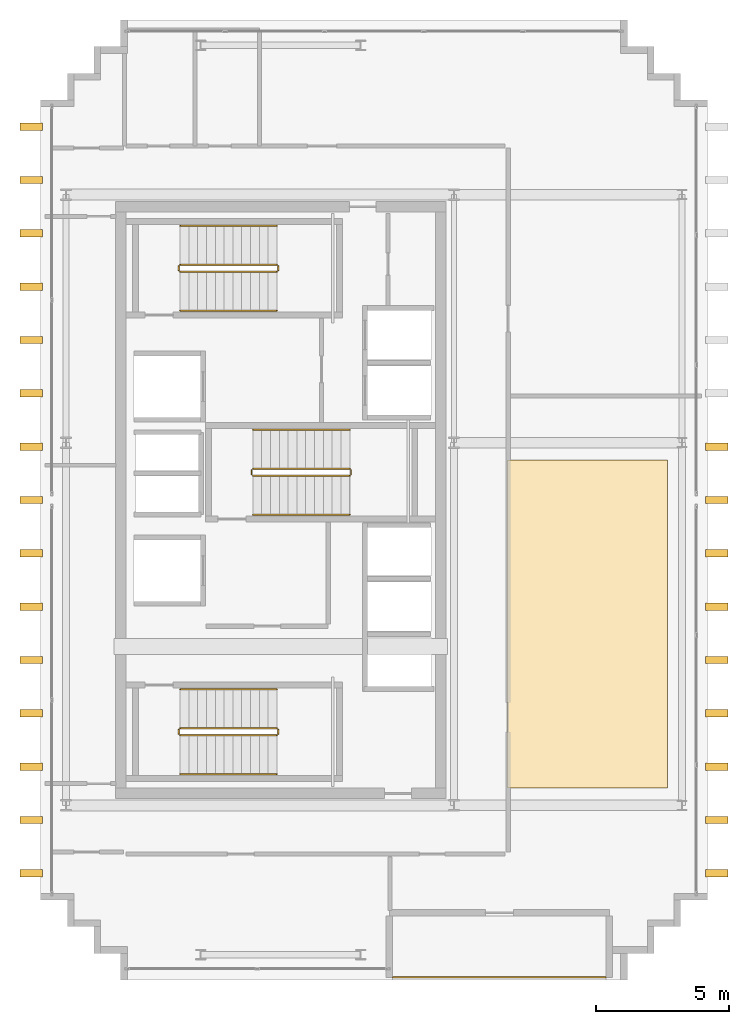
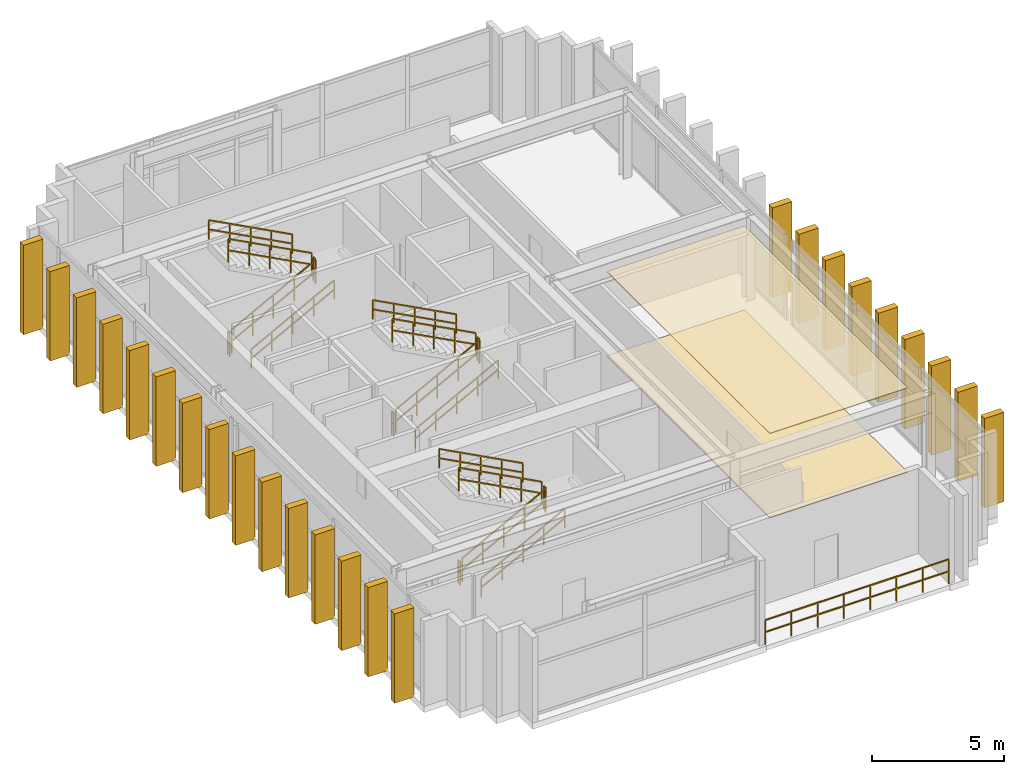
# One storey, part 13 of 14: 24 shading devices, 19 railings, 2 coverings.
"""IFC4 building model written with IfcOpenShell, lengths in metres."""

from ifc_helpers import new_model, si_unit, direction, frame, origin, origin_2d, place, context, subcontext, project, spatial, polyline, rectangle, outline, extrude, source, transform, mapped, material, layer, layer_set, type_object, element, save


model = new_model("IFC4")

# Units and contexts
model_context = context("Model", 3, precision=1e-05, world=origin(), true_north=direction((0.0, 1.0)))
body_context = subcontext(model_context, "Body", "Model", "MODEL_VIEW")
ifc_project = project(units=[si_unit("LENGTHUNIT", "METRE"), si_unit("AREAUNIT", "SQUARE_METRE"), si_unit("VOLUMEUNIT", "CUBIC_METRE"), si_unit("PLANEANGLEUNIT", "RADIAN"), si_unit("MASSUNIT", "GRAM", prefix="KILO")], contexts=[model_context])

# Site, building, storey
site_placement = place(None, origin())
site = spatial("IfcSite", under=ifc_project, at=site_placement, CompositionType="ELEMENT")
building_placement = place(site_placement, origin())
building = spatial("IfcBuilding", under=site, at=building_placement, Name="Ocotamira Hotel", CompositionType="ELEMENT")
storey_placement = place(building_placement, frame((0.0, 0.0, 301.199951171875)))
storey = spatial("IfcBuildingStorey", under=building, at=storey_placement, Name="L77", CompositionType="ELEMENT", Elevation=301.199951171875)

# Coverings
ifc_material_1 = material(Name="Baffled acoustic wood-slat and gypsum ceiling", Category="wood")
ifc_layer_1 = layer(ifc_material_1, 0.0400390625)
ifc_layer_set_1 = layer_set([ifc_layer_1], Name="Baffled acoustic wood-slat and gypsum ceiling")
covering_type_1 = type_object("IfcCoveringType", Name="COV-CEIL-40", PredefinedType="CEILING", material=ifc_layer_set_1)
covering_1_placement = place(storey_placement, frame((0.0, 0.0, 3.880126953125)))
element("IfcCovering", 1, at=covering_1_placement, inside=storey, type_object=covering_type_1, Name="L77 Acoustic Ceiling", PredefinedType="CEILING", context=body_context, shape_type="SweptSolid", body=[
    extrude(outline(polyline([(25.5, 15.199951171875), (31.5, 15.199951171875), (31.5, 27.5), (25.5, 27.5), (25.5, 15.199951171875)])), origin(), (0.0, 0.0, 1.0), 0.0400390625),
])
ifc_material_2 = material(Name="Thick-bed honed Mojave limestone flooring", Category="masonry")
ifc_layer_2 = layer(ifc_material_2, 0.044921875)
ifc_layer_set_2 = layer_set([ifc_layer_2], Name="Thick-bed honed Mojave limestone flooring")
covering_type_2 = type_object("IfcCoveringType", Name="COV-FLOR-45", PredefinedType="FLOORING", material=ifc_layer_set_2)
covering_2_placement = place(storey_placement, origin())
element("IfcCovering", 2, at=covering_2_placement, inside=storey, type_object=covering_type_2, Name="L77 Honed Stone Floor Finish", PredefinedType="FLOORING", context=body_context, shape_type="SweptSolid", body=[
    extrude(outline(polyline([(25.5, 15.199951171875), (31.5, 15.199951171875), (31.5, 27.5), (25.5, 27.5), (25.5, 15.199951171875)])), origin(), (0.0, 0.0, 1.0), 0.045166015625),
])

# Railings
ifc_material_3 = material(Name="Laminated glass and pale-metal balustrade", Category="glass")
railing_type_1 = type_object("IfcRailingType", Name="RL-BAL-1150", PredefinedType="BALUSTRADE", material=ifc_material_3)
railing_1_placement = place(storey_placement, frame((21.199951171875, 8.10009765625, 0.0)))
element("IfcRailing", 3, at=railing_1_placement, inside=storey, type_object=railing_type_1, Name="L77 Sky Terrace Balustrade 1", PredefinedType="BALUSTRADE", context=body_context, shape_type="SweptSolid", body=[
    extrude(rectangle(XDim=0.048095703125, YDim=0.048095703125, at=origin_2d()), frame((0.0, 0.0, 1.1259765625), z_axis=(1.0, 0.0, 0.0), x_axis=(0.0, 1.0, 0.0)), (0.0, 0.0, 1.0), 8.0),
    extrude(rectangle(XDim=0.048095703125, YDim=0.048095703125, at=origin_2d()), frame((0.0, 0.0, 0.574951171875), z_axis=(1.0, 0.0, 0.0), x_axis=(0.0, 1.0, 0.0)), (0.0, 0.0, 1.0), 8.0),
    extrude(rectangle(XDim=0.0419921875, YDim=0.0419921875, at=origin_2d()), origin(), (0.0, 0.0, 1.0), 1.101806640625),
    extrude(rectangle(XDim=0.0419921875, YDim=0.0419921875, at=origin_2d()), frame((1.142822265625, 0.0, 0.0)), (0.0, 0.0, 1.0), 1.101806640625),
    extrude(rectangle(XDim=0.0419921875, YDim=0.0419921875, at=origin_2d()), frame((2.28564453125, 0.0, 0.0)), (0.0, 0.0, 1.0), 1.101806640625),
    extrude(rectangle(XDim=0.0419921875, YDim=0.0419921875, at=origin_2d()), frame((3.428466796875, 0.0, 0.0)), (0.0, 0.0, 1.0), 1.101806640625),
    extrude(rectangle(XDim=0.0419921875, YDim=0.0419921875, at=origin_2d()), frame((4.571533203125, 0.0, 0.0)), (0.0, 0.0, 1.0), 1.101806640625),
    extrude(rectangle(XDim=0.0419921875, YDim=0.0419921875, at=origin_2d()), frame((5.71435546875, 0.0, 0.0)), (0.0, 0.0, 1.0), 1.101806640625),
    extrude(rectangle(XDim=0.0419921875, YDim=0.0419921875, at=origin_2d()), frame((6.857177734375, 0.0, 0.0)), (0.0, 0.0, 1.0), 1.101806640625),
    extrude(rectangle(XDim=0.0419921875, YDim=0.0419921875, at=origin_2d()), frame((8.0, 0.0, 0.0)), (0.0, 0.0, 1.0), 1.101806640625),
])
ifc_material_4 = material(Name="Brushed stainless steel handrail", Category="steel")
railing_type_2 = type_object("IfcRailingType", Name="RL-HAND-900", PredefinedType="HANDRAIL", material=ifc_material_4)
railing_2_placement = place(storey_placement, frame((13.22998046875, 15.719970703125, 0.35009765625)))
element("IfcRailing", 4, at=railing_2_placement, inside=storey, type_object=railing_type_2, Name="L77 ST-1 stair handrail 1", PredefinedType="HANDRAIL", context=body_context, shape_type="SweptSolid", body=[
    extrude(rectangle(XDim=0.048095703125, YDim=0.048095703125, at=origin_2d()), frame((0.0, 0.0, 0.8759765625), z_axis=(0.883463965148, 0.0, 0.468499116632), x_axis=(0.0, 1.0, 0.0)), (0.0, 0.0, 1.0), 4.10888671875),
    extrude(rectangle(XDim=0.048095703125, YDim=0.048095703125, at=origin_2d()), frame((0.0, 0.0, 0.449951171875), z_axis=(0.883463965148, 0.0, 0.468499116632), x_axis=(0.0, 1.0, 0.0)), (0.0, 0.0, 1.0), 4.10888671875),
    extrude(rectangle(XDim=0.0419921875, YDim=0.0419921875, at=origin_2d()), origin(), (0.0, 0.0, 1.0), 0.851806640625),
    extrude(rectangle(XDim=0.0419921875, YDim=0.0419921875, at=origin_2d()), frame((0.907470703125, 0.0, 0.481201171875)), (0.0, 0.0, 1.0), 0.851806640625),
    extrude(rectangle(XDim=0.0419921875, YDim=0.0419921875, at=origin_2d()), frame((1.81494140625, 0.0, 0.96240234375)), (0.0, 0.0, 1.0), 0.851806640625),
    extrude(rectangle(XDim=0.0419921875, YDim=0.0419921875, at=origin_2d()), frame((2.72265625, 0.0, 1.44384765625)), (0.0, 0.0, 1.0), 0.851806640625),
    extrude(rectangle(XDim=0.0419921875, YDim=0.0419921875, at=origin_2d()), frame((3.630126953125, 0.0, 1.925048828125)), (0.0, 0.0, 1.0), 0.851806640625),
])
railing_3_placement = place(storey_placement, frame((16.860107421875, 18.89990234375, 2.449951171875)))
element("IfcRailing", 5, at=railing_3_placement, inside=storey, type_object=railing_type_2, Name="L77 ST-1 stair handrail 2", PredefinedType="HANDRAIL", context=body_context, shape_type="SweptSolid", body=[
    extrude(rectangle(XDim=0.048095703125, YDim=0.048095703125, at=origin_2d()), frame((0.0, 0.0, 0.8759765625), z_axis=(-0.883463965148, 0.0, 0.468499116632), x_axis=(0.0, -1.0, 0.0)), (0.0, 0.0, 1.0), 4.10888671875),
    extrude(rectangle(XDim=0.048095703125, YDim=0.048095703125, at=origin_2d()), frame((0.0, 0.0, 0.449951171875), z_axis=(-0.883463965148, 0.0, 0.468499116632), x_axis=(0.0, -1.0, 0.0)), (0.0, 0.0, 1.0), 4.10888671875),
    extrude(rectangle(XDim=0.0419921875, YDim=0.0419921875, at=origin_2d()), origin(), (0.0, 0.0, 1.0), 0.851806640625),
    extrude(rectangle(XDim=0.0419921875, YDim=0.0419921875, at=origin_2d()), frame((-0.907470703125, 0.0, 0.481201171875)), (0.0, 0.0, 1.0), 0.851806640625),
    extrude(rectangle(XDim=0.0419921875, YDim=0.0419921875, at=origin_2d()), frame((-1.81494140625, 0.0, 0.96240234375)), (0.0, 0.0, 1.0), 0.851806640625),
    extrude(rectangle(XDim=0.0419921875, YDim=0.0419921875, at=origin_2d()), frame((-2.72265625, 0.0, 1.44384765625)), (0.0, 0.0, 1.0), 0.851806640625),
    extrude(rectangle(XDim=0.0419921875, YDim=0.0419921875, at=origin_2d()), frame((-3.630126953125, 0.0, 1.925048828125)), (0.0, 0.0, 1.0), 0.851806640625),
])
railing_4_placement = place(storey_placement, frame((13.22998046875, 33.10009765625, 0.35009765625)))
element("IfcRailing", 6, at=railing_4_placement, inside=storey, type_object=railing_type_2, Name="L77 ST-2 stair handrail 1", PredefinedType="HANDRAIL", context=body_context, shape_type="SweptSolid", body=[
    extrude(rectangle(XDim=0.048095703125, YDim=0.048095703125, at=origin_2d()), frame((0.0, 0.0, 0.8759765625), z_axis=(0.883463965148, 0.0, 0.468499116632), x_axis=(0.0, 1.0, 0.0)), (0.0, 0.0, 1.0), 4.10888671875),
    extrude(rectangle(XDim=0.048095703125, YDim=0.048095703125, at=origin_2d()), frame((0.0, 0.0, 0.449951171875), z_axis=(0.883463965148, 0.0, 0.468499116632), x_axis=(0.0, 1.0, 0.0)), (0.0, 0.0, 1.0), 4.10888671875),
    extrude(rectangle(XDim=0.0419921875, YDim=0.0419921875, at=origin_2d()), origin(), (0.0, 0.0, 1.0), 0.851806640625),
    extrude(rectangle(XDim=0.0419921875, YDim=0.0419921875, at=origin_2d()), frame((0.907470703125, 0.0, 0.481201171875)), (0.0, 0.0, 1.0), 0.851806640625),
    extrude(rectangle(XDim=0.0419921875, YDim=0.0419921875, at=origin_2d()), frame((1.81494140625, 0.0, 0.96240234375)), (0.0, 0.0, 1.0), 0.851806640625),
    extrude(rectangle(XDim=0.0419921875, YDim=0.0419921875, at=origin_2d()), frame((2.72265625, 0.0, 1.44384765625)), (0.0, 0.0, 1.0), 0.851806640625),
    extrude(rectangle(XDim=0.0419921875, YDim=0.0419921875, at=origin_2d()), frame((3.630126953125, 0.0, 1.925048828125)), (0.0, 0.0, 1.0), 0.851806640625),
])
railing_5_placement = place(storey_placement, frame((16.860107421875, 36.280029296875, 2.449951171875)))
element("IfcRailing", 7, at=railing_5_placement, inside=storey, type_object=railing_type_2, Name="L77 ST-2 stair handrail 2", PredefinedType="HANDRAIL", context=body_context, shape_type="SweptSolid", body=[
    extrude(rectangle(XDim=0.048095703125, YDim=0.048095703125, at=origin_2d()), frame((0.0, 0.0, 0.8759765625), z_axis=(-0.883463965148, 0.0, 0.468499116632), x_axis=(0.0, -1.0, 0.0)), (0.0, 0.0, 1.0), 4.10888671875),
    extrude(rectangle(XDim=0.048095703125, YDim=0.048095703125, at=origin_2d()), frame((0.0, 0.0, 0.449951171875), z_axis=(-0.883463965148, 0.0, 0.468499116632), x_axis=(0.0, -1.0, 0.0)), (0.0, 0.0, 1.0), 4.10888671875),
    extrude(rectangle(XDim=0.0419921875, YDim=0.0419921875, at=origin_2d()), origin(), (0.0, 0.0, 1.0), 0.851806640625),
    extrude(rectangle(XDim=0.0419921875, YDim=0.0419921875, at=origin_2d()), frame((-0.907470703125, 0.0, 0.481201171875)), (0.0, 0.0, 1.0), 0.851806640625),
    extrude(rectangle(XDim=0.0419921875, YDim=0.0419921875, at=origin_2d()), frame((-1.81494140625, 0.0, 0.96240234375)), (0.0, 0.0, 1.0), 0.851806640625),
    extrude(rectangle(XDim=0.0419921875, YDim=0.0419921875, at=origin_2d()), frame((-2.72265625, 0.0, 1.44384765625)), (0.0, 0.0, 1.0), 0.851806640625),
    extrude(rectangle(XDim=0.0419921875, YDim=0.0419921875, at=origin_2d()), frame((-3.630126953125, 0.0, 1.925048828125)), (0.0, 0.0, 1.0), 0.851806640625),
])
railing_6_placement = place(storey_placement, frame((15.9599609375, 25.449951171875, 0.35009765625)))
element("IfcRailing", 8, at=railing_6_placement, inside=storey, type_object=railing_type_2, Name="L77 ST-3 stair handrail 1", PredefinedType="HANDRAIL", context=body_context, shape_type="SweptSolid", body=[
    extrude(rectangle(XDim=0.048095703125, YDim=0.048095703125, at=origin_2d()), frame((0.0, 0.0, 0.8759765625), z_axis=(0.883463965148, 0.0, 0.468499116632), x_axis=(0.0, 1.0, 0.0)), (0.0, 0.0, 1.0), 4.10888671875),
    extrude(rectangle(XDim=0.048095703125, YDim=0.048095703125, at=origin_2d()), frame((0.0, 0.0, 0.449951171875), z_axis=(0.883463965148, 0.0, 0.468499116632), x_axis=(0.0, 1.0, 0.0)), (0.0, 0.0, 1.0), 4.10888671875),
    extrude(rectangle(XDim=0.0419921875, YDim=0.0419921875, at=origin_2d()), origin(), (0.0, 0.0, 1.0), 0.851806640625),
    extrude(rectangle(XDim=0.0419921875, YDim=0.0419921875, at=origin_2d()), frame((0.907470703125, 0.0, 0.481201171875)), (0.0, 0.0, 1.0), 0.851806640625),
    extrude(rectangle(XDim=0.0419921875, YDim=0.0419921875, at=origin_2d()), frame((1.81494140625, 0.0, 0.96240234375)), (0.0, 0.0, 1.0), 0.851806640625),
    extrude(rectangle(XDim=0.0419921875, YDim=0.0419921875, at=origin_2d()), frame((2.72265625, 0.0, 1.44384765625)), (0.0, 0.0, 1.0), 0.851806640625),
    extrude(rectangle(XDim=0.0419921875, YDim=0.0419921875, at=origin_2d()), frame((3.630126953125, 0.0, 1.925048828125)), (0.0, 0.0, 1.0), 0.851806640625),
])
railing_7_placement = place(storey_placement, frame((19.590087890625, 28.6298828125, 2.449951171875)))
element("IfcRailing", 9, at=railing_7_placement, inside=storey, type_object=railing_type_2, Name="L77 ST-3 stair handrail 2", PredefinedType="HANDRAIL", context=body_context, shape_type="SweptSolid", body=[
    extrude(rectangle(XDim=0.048095703125, YDim=0.048095703125, at=origin_2d()), frame((0.0, 0.0, 0.8759765625), z_axis=(-0.883463965148, 0.0, 0.468499116632), x_axis=(0.0, -1.0, 0.0)), (0.0, 0.0, 1.0), 4.10888671875),
    extrude(rectangle(XDim=0.048095703125, YDim=0.048095703125, at=origin_2d()), frame((0.0, 0.0, 0.449951171875), z_axis=(-0.883463965148, 0.0, 0.468499116632), x_axis=(0.0, -1.0, 0.0)), (0.0, 0.0, 1.0), 4.10888671875),
    extrude(rectangle(XDim=0.0419921875, YDim=0.0419921875, at=origin_2d()), origin(), (0.0, 0.0, 1.0), 0.851806640625),
    extrude(rectangle(XDim=0.0419921875, YDim=0.0419921875, at=origin_2d()), frame((-0.907470703125, 0.0, 0.481201171875)), (0.0, 0.0, 1.0), 0.851806640625),
    extrude(rectangle(XDim=0.0419921875, YDim=0.0419921875, at=origin_2d()), frame((-1.81494140625, 0.0, 0.96240234375)), (0.0, 0.0, 1.0), 0.851806640625),
    extrude(rectangle(XDim=0.0419921875, YDim=0.0419921875, at=origin_2d()), frame((-2.72265625, 0.0, 1.44384765625)), (0.0, 0.0, 1.0), 0.851806640625),
    extrude(rectangle(XDim=0.0419921875, YDim=0.0419921875, at=origin_2d()), frame((-3.630126953125, 0.0, 1.925048828125)), (0.0, 0.0, 1.0), 0.851806640625),
])
ifc_material_5 = material(Name="Painted steel stair guardrail", Category="steel")
railing_type_3 = type_object("IfcRailingType", Name="RL-STAIR-1100", PredefinedType="GUARDRAIL", material=ifc_material_5)
railing_8_placement = place(storey_placement, frame((13.22998046875, 17.179931640625, 0.175048828125)))
element("IfcRailing", 10, at=railing_8_placement, inside=storey, type_object=railing_type_3, Name="L77 ST-1 stair guard 1", PredefinedType="GUARDRAIL", context=body_context, shape_type="SweptSolid", body=[
    extrude(rectangle(XDim=0.048095703125, YDim=0.048095703125, at=origin_2d()), frame((0.0, 0.0, 1.076171875), z_axis=(0.883463965148, 0.0, 0.468499116632), x_axis=(0.0, 1.0, 0.0)), (0.0, 0.0, 1.0), 4.10888671875),
    extrude(rectangle(XDim=0.048095703125, YDim=0.048095703125, at=origin_2d()), frame((0.0, 0.0, 0.550048828125), z_axis=(0.883463965148, 0.0, 0.468499116632), x_axis=(0.0, 1.0, 0.0)), (0.0, 0.0, 1.0), 4.10888671875),
    extrude(rectangle(XDim=0.0419921875, YDim=0.0419921875, at=origin_2d()), origin(), (0.0, 0.0, 1.0), 1.052001953125),
    extrude(rectangle(XDim=0.0419921875, YDim=0.0419921875, at=origin_2d()), frame((0.907470703125, 0.0, 0.481201171875)), (0.0, 0.0, 1.0), 1.052001953125),
    extrude(rectangle(XDim=0.0419921875, YDim=0.0419921875, at=origin_2d()), frame((1.81494140625, 0.0, 0.96240234375)), (0.0, 0.0, 1.0), 1.052001953125),
    extrude(rectangle(XDim=0.0419921875, YDim=0.0419921875, at=origin_2d()), frame((2.72265625, 0.0, 1.44384765625)), (0.0, 0.0, 1.0), 1.052001953125),
    extrude(rectangle(XDim=0.0419921875, YDim=0.0419921875, at=origin_2d()), frame((3.630126953125, 0.0, 1.925048828125)), (0.0, 0.0, 1.0), 1.052001953125),
])
railing_9_placement = place(storey_placement, frame((16.909912109375, 17.22998046875, 2.10009765625)))
element("IfcRailing", 11, at=railing_9_placement, inside=storey, type_object=railing_type_3, Name="L77 ST-1 stair guard 2", PredefinedType="GUARDRAIL", context=body_context, shape_type="SweptSolid", body=[
    extrude(rectangle(XDim=0.048095703125, YDim=0.048095703125, at=origin_2d()), frame((0.0, 0.0, 1.076171875), z_axis=(0.0, 1.0, 0.0), x_axis=(-1.0, 0.0, 0.0)), (0.0, 0.0, 1.0), 0.159912109375),
    extrude(rectangle(XDim=0.048095703125, YDim=0.048095703125, at=origin_2d()), frame((0.0, 0.0, 0.550048828125), z_axis=(0.0, 1.0, 0.0), x_axis=(-1.0, 0.0, 0.0)), (0.0, 0.0, 1.0), 0.159912109375),
    extrude(rectangle(XDim=0.0419921875, YDim=0.0419921875, at=origin_2d()), origin(), (0.0, 0.0, 1.0), 1.052001953125),
    extrude(rectangle(XDim=0.0419921875, YDim=0.0419921875, at=origin_2d()), frame((0.0, 0.159912109375, 0.0)), (0.0, 0.0, 1.0), 1.052001953125),
])
railing_10_placement = place(storey_placement, frame((16.860107421875, 17.43994140625, 2.275146484375)))
element("IfcRailing", 12, at=railing_10_placement, inside=storey, type_object=railing_type_3, Name="L77 ST-1 stair guard 3", PredefinedType="GUARDRAIL", context=body_context, shape_type="SweptSolid", body=[
    extrude(rectangle(XDim=0.048095703125, YDim=0.048095703125, at=origin_2d()), frame((0.0, 0.0, 1.076171875), z_axis=(-0.88348855723, 0.0, 0.468452739606), x_axis=(0.0, -1.0, 0.0)), (0.0, 0.0, 1.0), 4.10888671875),
    extrude(rectangle(XDim=0.048095703125, YDim=0.048095703125, at=origin_2d()), frame((0.0, 0.0, 0.550048828125), z_axis=(-0.88348855723, 0.0, 0.468452739606), x_axis=(0.0, -1.0, 0.0)), (0.0, 0.0, 1.0), 4.10888671875),
    extrude(rectangle(XDim=0.0419921875, YDim=0.0419921875, at=origin_2d()), origin(), (0.0, 0.0, 1.0), 1.052001953125),
    extrude(rectangle(XDim=0.0419921875, YDim=0.0419921875, at=origin_2d()), frame((-0.907470703125, 0.0, 0.481201171875)), (0.0, 0.0, 1.0), 1.052001953125),
    extrude(rectangle(XDim=0.0419921875, YDim=0.0419921875, at=origin_2d()), frame((-1.81494140625, 0.0, 0.96240234375)), (0.0, 0.0, 1.0), 1.052001953125),
    extrude(rectangle(XDim=0.0419921875, YDim=0.0419921875, at=origin_2d()), frame((-2.72265625, 0.0, 1.443603515625)), (0.0, 0.0, 1.0), 1.052001953125),
    extrude(rectangle(XDim=0.0419921875, YDim=0.0419921875, at=origin_2d()), frame((-3.630126953125, 0.0, 1.9248046875)), (0.0, 0.0, 1.0), 1.052001953125),
])
railing_11_placement = place(storey_placement, frame((13.179931640625, 17.22998046875, 0.0)))
element("IfcRailing", 13, at=railing_11_placement, inside=storey, type_object=railing_type_3, Name="L77 ST-1 stair guard 4", PredefinedType="GUARDRAIL", context=body_context, shape_type="SweptSolid", body=[
    extrude(rectangle(XDim=0.048095703125, YDim=0.048095703125, at=origin_2d()), frame((0.0, 0.0, 1.076171875), z_axis=(0.0, 1.0, 0.0), x_axis=(-1.0, 0.0, 0.0)), (0.0, 0.0, 1.0), 0.159912109375),
    extrude(rectangle(XDim=0.048095703125, YDim=0.048095703125, at=origin_2d()), frame((0.0, 0.0, 0.550048828125), z_axis=(0.0, 1.0, 0.0), x_axis=(-1.0, 0.0, 0.0)), (0.0, 0.0, 1.0), 0.159912109375),
    extrude(rectangle(XDim=0.0419921875, YDim=0.0419921875, at=origin_2d()), origin(), (0.0, 0.0, 1.0), 1.052001953125),
    extrude(rectangle(XDim=0.0419921875, YDim=0.0419921875, at=origin_2d()), frame((0.0, 0.159912109375, 0.0)), (0.0, 0.0, 1.0), 1.052001953125),
])
railing_12_placement = place(storey_placement, frame((13.22998046875, 34.56005859375, 0.175048828125)))
element("IfcRailing", 14, at=railing_12_placement, inside=storey, type_object=railing_type_3, Name="L77 ST-2 stair guard 1", PredefinedType="GUARDRAIL", context=body_context, shape_type="SweptSolid", body=[
    extrude(rectangle(XDim=0.048095703125, YDim=0.048095703125, at=origin_2d()), frame((0.0, 0.0, 1.076171875), z_axis=(0.883463965148, 0.0, 0.468499116632), x_axis=(0.0, 1.0, 0.0)), (0.0, 0.0, 1.0), 4.10888671875),
    extrude(rectangle(XDim=0.048095703125, YDim=0.048095703125, at=origin_2d()), frame((0.0, 0.0, 0.550048828125), z_axis=(0.883463965148, 0.0, 0.468499116632), x_axis=(0.0, 1.0, 0.0)), (0.0, 0.0, 1.0), 4.10888671875),
    extrude(rectangle(XDim=0.0419921875, YDim=0.0419921875, at=origin_2d()), origin(), (0.0, 0.0, 1.0), 1.052001953125),
    extrude(rectangle(XDim=0.0419921875, YDim=0.0419921875, at=origin_2d()), frame((0.907470703125, 0.0, 0.481201171875)), (0.0, 0.0, 1.0), 1.052001953125),
    extrude(rectangle(XDim=0.0419921875, YDim=0.0419921875, at=origin_2d()), frame((1.81494140625, 0.0, 0.96240234375)), (0.0, 0.0, 1.0), 1.052001953125),
    extrude(rectangle(XDim=0.0419921875, YDim=0.0419921875, at=origin_2d()), frame((2.72265625, 0.0, 1.44384765625)), (0.0, 0.0, 1.0), 1.052001953125),
    extrude(rectangle(XDim=0.0419921875, YDim=0.0419921875, at=origin_2d()), frame((3.630126953125, 0.0, 1.925048828125)), (0.0, 0.0, 1.0), 1.052001953125),
])
railing_13_placement = place(storey_placement, frame((16.909912109375, 34.610107421875, 2.10009765625)))
element("IfcRailing", 15, at=railing_13_placement, inside=storey, type_object=railing_type_3, Name="L77 ST-2 stair guard 2", PredefinedType="GUARDRAIL", context=body_context, shape_type="SweptSolid", body=[
    extrude(rectangle(XDim=0.048095703125, YDim=0.048095703125, at=origin_2d()), frame((0.0, 0.0, 1.076171875), z_axis=(0.0, 1.0, 0.0), x_axis=(-1.0, 0.0, 0.0)), (0.0, 0.0, 1.0), 0.159912109375),
    extrude(rectangle(XDim=0.048095703125, YDim=0.048095703125, at=origin_2d()), frame((0.0, 0.0, 0.550048828125), z_axis=(0.0, 1.0, 0.0), x_axis=(-1.0, 0.0, 0.0)), (0.0, 0.0, 1.0), 0.159912109375),
    extrude(rectangle(XDim=0.0419921875, YDim=0.0419921875, at=origin_2d()), origin(), (0.0, 0.0, 1.0), 1.052001953125),
    extrude(rectangle(XDim=0.0419921875, YDim=0.0419921875, at=origin_2d()), frame((0.0, 0.159912109375, 0.0)), (0.0, 0.0, 1.0), 1.052001953125),
])
railing_14_placement = place(storey_placement, frame((16.860107421875, 34.820068359375, 2.275146484375)))
element("IfcRailing", 16, at=railing_14_placement, inside=storey, type_object=railing_type_3, Name="L77 ST-2 stair guard 3", PredefinedType="GUARDRAIL", context=body_context, shape_type="SweptSolid", body=[
    extrude(rectangle(XDim=0.048095703125, YDim=0.048095703125, at=origin_2d()), frame((0.0, 0.0, 1.076171875), z_axis=(-0.88348855723, 0.0, 0.468452739606), x_axis=(0.0, -1.0, 0.0)), (0.0, 0.0, 1.0), 4.10888671875),
    extrude(rectangle(XDim=0.048095703125, YDim=0.048095703125, at=origin_2d()), frame((0.0, 0.0, 0.550048828125), z_axis=(-0.88348855723, 0.0, 0.468452739606), x_axis=(0.0, -1.0, 0.0)), (0.0, 0.0, 1.0), 4.10888671875),
    extrude(rectangle(XDim=0.0419921875, YDim=0.0419921875, at=origin_2d()), origin(), (0.0, 0.0, 1.0), 1.052001953125),
    extrude(rectangle(XDim=0.0419921875, YDim=0.0419921875, at=origin_2d()), frame((-0.907470703125, 0.0, 0.481201171875)), (0.0, 0.0, 1.0), 1.052001953125),
    extrude(rectangle(XDim=0.0419921875, YDim=0.0419921875, at=origin_2d()), frame((-1.81494140625, 0.0, 0.96240234375)), (0.0, 0.0, 1.0), 1.052001953125),
    extrude(rectangle(XDim=0.0419921875, YDim=0.0419921875, at=origin_2d()), frame((-2.72265625, 0.0, 1.443603515625)), (0.0, 0.0, 1.0), 1.052001953125),
    extrude(rectangle(XDim=0.0419921875, YDim=0.0419921875, at=origin_2d()), frame((-3.630126953125, 0.0, 1.9248046875)), (0.0, 0.0, 1.0), 1.052001953125),
])
railing_15_placement = place(storey_placement, frame((13.179931640625, 34.610107421875, 0.0)))
element("IfcRailing", 17, at=railing_15_placement, inside=storey, type_object=railing_type_3, Name="L77 ST-2 stair guard 4", PredefinedType="GUARDRAIL", context=body_context, shape_type="SweptSolid", body=[
    extrude(rectangle(XDim=0.048095703125, YDim=0.048095703125, at=origin_2d()), frame((0.0, 0.0, 1.076171875), z_axis=(0.0, 1.0, 0.0), x_axis=(-1.0, 0.0, 0.0)), (0.0, 0.0, 1.0), 0.159912109375),
    extrude(rectangle(XDim=0.048095703125, YDim=0.048095703125, at=origin_2d()), frame((0.0, 0.0, 0.550048828125), z_axis=(0.0, 1.0, 0.0), x_axis=(-1.0, 0.0, 0.0)), (0.0, 0.0, 1.0), 0.159912109375),
    extrude(rectangle(XDim=0.0419921875, YDim=0.0419921875, at=origin_2d()), origin(), (0.0, 0.0, 1.0), 1.052001953125),
    extrude(rectangle(XDim=0.0419921875, YDim=0.0419921875, at=origin_2d()), frame((0.0, 0.159912109375, 0.0)), (0.0, 0.0, 1.0), 1.052001953125),
])
railing_16_placement = place(storey_placement, frame((15.9599609375, 26.909912109375, 0.175048828125)))
element("IfcRailing", 18, at=railing_16_placement, inside=storey, type_object=railing_type_3, Name="L77 ST-3 stair guard 1", PredefinedType="GUARDRAIL", context=body_context, shape_type="SweptSolid", body=[
    extrude(rectangle(XDim=0.048095703125, YDim=0.048095703125, at=origin_2d()), frame((0.0, 0.0, 1.076171875), z_axis=(0.883463965148, 0.0, 0.468499116632), x_axis=(0.0, 1.0, 0.0)), (0.0, 0.0, 1.0), 4.10888671875),
    extrude(rectangle(XDim=0.048095703125, YDim=0.048095703125, at=origin_2d()), frame((0.0, 0.0, 0.550048828125), z_axis=(0.883463965148, 0.0, 0.468499116632), x_axis=(0.0, 1.0, 0.0)), (0.0, 0.0, 1.0), 4.10888671875),
    extrude(rectangle(XDim=0.0419921875, YDim=0.0419921875, at=origin_2d()), origin(), (0.0, 0.0, 1.0), 1.052001953125),
    extrude(rectangle(XDim=0.0419921875, YDim=0.0419921875, at=origin_2d()), frame((0.907470703125, 0.0, 0.481201171875)), (0.0, 0.0, 1.0), 1.052001953125),
    extrude(rectangle(XDim=0.0419921875, YDim=0.0419921875, at=origin_2d()), frame((1.81494140625, 0.0, 0.96240234375)), (0.0, 0.0, 1.0), 1.052001953125),
    extrude(rectangle(XDim=0.0419921875, YDim=0.0419921875, at=origin_2d()), frame((2.72265625, 0.0, 1.44384765625)), (0.0, 0.0, 1.0), 1.052001953125),
    extrude(rectangle(XDim=0.0419921875, YDim=0.0419921875, at=origin_2d()), frame((3.630126953125, 0.0, 1.925048828125)), (0.0, 0.0, 1.0), 1.052001953125),
])
railing_17_placement = place(storey_placement, frame((19.639892578125, 26.9599609375, 2.10009765625)))
element("IfcRailing", 19, at=railing_17_placement, inside=storey, type_object=railing_type_3, Name="L77 ST-3 stair guard 2", PredefinedType="GUARDRAIL", context=body_context, shape_type="SweptSolid", body=[
    extrude(rectangle(XDim=0.048095703125, YDim=0.048095703125, at=origin_2d()), frame((0.0, 0.0, 1.076171875), z_axis=(0.0, 1.0, 0.0), x_axis=(-1.0, 0.0, 0.0)), (0.0, 0.0, 1.0), 0.16015625),
    extrude(rectangle(XDim=0.048095703125, YDim=0.048095703125, at=origin_2d()), frame((0.0, 0.0, 0.550048828125), z_axis=(0.0, 1.0, 0.0), x_axis=(-1.0, 0.0, 0.0)), (0.0, 0.0, 1.0), 0.16015625),
    extrude(rectangle(XDim=0.0419921875, YDim=0.0419921875, at=origin_2d()), origin(), (0.0, 0.0, 1.0), 1.052001953125),
    extrude(rectangle(XDim=0.0419921875, YDim=0.0419921875, at=origin_2d()), frame((0.0, 0.16015625, 0.0)), (0.0, 0.0, 1.0), 1.052001953125),
])
railing_18_placement = place(storey_placement, frame((19.590087890625, 27.169921875, 2.275146484375)))
element("IfcRailing", 20, at=railing_18_placement, inside=storey, type_object=railing_type_3, Name="L77 ST-3 stair guard 3", PredefinedType="GUARDRAIL", context=body_context, shape_type="SweptSolid", body=[
    extrude(rectangle(XDim=0.048095703125, YDim=0.048095703125, at=origin_2d()), frame((0.0, 0.0, 1.076171875), z_axis=(-0.88348855723, 0.0, 0.468452739606), x_axis=(0.0, -1.0, 0.0)), (0.0, 0.0, 1.0), 4.10888671875),
    extrude(rectangle(XDim=0.048095703125, YDim=0.048095703125, at=origin_2d()), frame((0.0, 0.0, 0.550048828125), z_axis=(-0.88348855723, 0.0, 0.468452739606), x_axis=(0.0, -1.0, 0.0)), (0.0, 0.0, 1.0), 4.10888671875),
    extrude(rectangle(XDim=0.0419921875, YDim=0.0419921875, at=origin_2d()), origin(), (0.0, 0.0, 1.0), 1.052001953125),
    extrude(rectangle(XDim=0.0419921875, YDim=0.0419921875, at=origin_2d()), frame((-0.907470703125, 0.0, 0.481201171875)), (0.0, 0.0, 1.0), 1.052001953125),
    extrude(rectangle(XDim=0.0419921875, YDim=0.0419921875, at=origin_2d()), frame((-1.81494140625, 0.0, 0.96240234375)), (0.0, 0.0, 1.0), 1.052001953125),
    extrude(rectangle(XDim=0.0419921875, YDim=0.0419921875, at=origin_2d()), frame((-2.72265625, 0.0, 1.443603515625)), (0.0, 0.0, 1.0), 1.052001953125),
    extrude(rectangle(XDim=0.0419921875, YDim=0.0419921875, at=origin_2d()), frame((-3.630126953125, 0.0, 1.9248046875)), (0.0, 0.0, 1.0), 1.052001953125),
])
railing_19_placement = place(storey_placement, frame((15.909912109375, 26.9599609375, 0.0)))
element("IfcRailing", 21, at=railing_19_placement, inside=storey, type_object=railing_type_3, Name="L77 ST-3 stair guard 4", PredefinedType="GUARDRAIL", context=body_context, shape_type="SweptSolid", body=[
    extrude(rectangle(XDim=0.048095703125, YDim=0.048095703125, at=origin_2d()), frame((0.0, 0.0, 1.076171875), z_axis=(0.0, 1.0, 0.0), x_axis=(-1.0, 0.0, 0.0)), (0.0, 0.0, 1.0), 0.16015625),
    extrude(rectangle(XDim=0.048095703125, YDim=0.048095703125, at=origin_2d()), frame((0.0, 0.0, 0.550048828125), z_axis=(0.0, 1.0, 0.0), x_axis=(-1.0, 0.0, 0.0)), (0.0, 0.0, 1.0), 0.16015625),
    extrude(rectangle(XDim=0.0419921875, YDim=0.0419921875, at=origin_2d()), origin(), (0.0, 0.0, 1.0), 1.052001953125),
    extrude(rectangle(XDim=0.0419921875, YDim=0.0419921875, at=origin_2d()), frame((0.0, 0.16015625, 0.0)), (0.0, 0.0, 1.0), 1.052001953125),
])

# Shading devices
ifc_material_6 = material(Name="Pale-metal anodised aluminium architectural fin", Category="aluminium")
shading_device_type = type_object("IfcShadingDeviceType", Name="SHD-PIER-850", PredefinedType="USERDEFINED", material=ifc_material_6)
shared_shape = source(origin(), body_context, "Body", "SweptSolid", [
    extrude(rectangle(XDim=0.85009765625, YDim=0.280029296875, at=origin_2d()), origin(), (0.0, 0.0, 1.0), 4.1201171875),
])
for number, where, z_axis, x_axis, name in (
    (22, (7.64990234375, 12.0, -0.10009765625), (0.0, 0.0, 1.0), (1.0, 0.0, 0.0), "L77 West Peak Vertical Pier X7 Y12"),
    (23, (33.35009765625, 12.0, -0.10009765625), (0.0, 0.0, 1.0), (1.0, 0.0, 0.0), "L77 West Peak Vertical Pier X33 Y12"),
    (24, (7.64990234375, 14.0, -0.10009765625), (0.0, 0.0, 1.0), (1.0, 0.0, 0.0), "L77 West Peak Vertical Pier X7 Y14"),
    (25, (33.35009765625, 14.0, -0.10009765625), (0.0, 0.0, 1.0), (1.0, 0.0, 0.0), "L77 West Peak Vertical Pier X33 Y14"),
    (26, (7.64990234375, 16.0, -0.10009765625), (0.0, 0.0, 1.0), (1.0, 0.0, 0.0), "L77 West Peak Vertical Pier X7 Y16"),
    (27, (33.35009765625, 16.0, -0.10009765625), (0.0, 0.0, 1.0), (1.0, 0.0, 0.0), "L77 West Peak Vertical Pier X33 Y16"),
    (28, (7.64990234375, 18.0, -0.10009765625), (0.0, 0.0, 1.0), (1.0, 0.0, 0.0), "L77 West Peak Vertical Pier X7 Y18"),
    (29, (33.35009765625, 18.0, -0.10009765625), (0.0, 0.0, 1.0), (1.0, 0.0, 0.0), "L77 West Peak Vertical Pier X33 Y18"),
    (30, (7.64990234375, 20.0, -0.10009765625), (0.0, 0.0, 1.0), (1.0, 0.0, 0.0), "L77 West Peak Vertical Pier X7 Y20"),
    (31, (33.35009765625, 20.0, -0.10009765625), (0.0, 0.0, 1.0), (1.0, 0.0, 0.0), "L77 West Peak Vertical Pier X33 Y20"),
    (32, (7.64990234375, 22.0, -0.10009765625), (0.0, 0.0, 1.0), (1.0, 0.0, 0.0), "L77 West Peak Vertical Pier X7 Y22"),
    (33, (33.35009765625, 22.0, -0.10009765625), (0.0, 0.0, 1.0), (1.0, 0.0, 0.0), "L77 West Peak Vertical Pier X33 Y22"),
    (34, (7.64990234375, 24.0, -0.10009765625), (0.0, 0.0, 1.0), (1.0, 0.0, 0.0), "L77 West Peak Vertical Pier X7 Y24"),
    (35, (33.35009765625, 24.0, -0.10009765625), (0.0, 0.0, 1.0), (1.0, 0.0, 0.0), "L77 West Peak Vertical Pier X33 Y24"),
    (36, (7.64990234375, 26.0, -0.10009765625), (0.0, 0.0, 1.0), (1.0, 0.0, 0.0), "L77 West Peak Vertical Pier X7 Y26"),
    (37, (33.35009765625, 26.0, -0.10009765625), (0.0, 0.0, 1.0), (1.0, 0.0, 0.0), "L77 West Peak Vertical Pier X33 Y26"),
    (38, (7.64990234375, 28.0, -0.10009765625), (0.0, 0.0, 1.0), (1.0, 0.0, 0.0), "L77 West Peak Vertical Pier X7 Y28"),
    (39, (33.35009765625, 28.0, -0.10009765625), (0.0, 0.0, 1.0), (1.0, 0.0, 0.0), "L77 West Peak Vertical Pier X33 Y28"),
    (40, (7.64990234375, 30.0, -0.10009765625), (0.0, 0.0, 1.0), (1.0, 0.0, 0.0), "L77 West Peak Vertical Pier X7 Y30"),
    (41, (7.64990234375, 32.0, -0.10009765625), (0.0, 0.0, 1.0), (1.0, 0.0, 0.0), "L77 West Peak Vertical Pier X7 Y32"),
    (42, (7.64990234375, 34.0, -0.10009765625), (0.0, 0.0, 1.0), (1.0, 0.0, 0.0), "L77 West Peak Vertical Pier X7 Y34"),
    (43, (7.64990234375, 36.0, -0.10009765625), (0.0, 0.0, 1.0), (1.0, 0.0, 0.0), "L77 West Peak Vertical Pier X7 Y36"),
    (44, (7.64990234375, 38.0, -0.10009765625), (0.0, 0.0, 1.0), (1.0, 0.0, 0.0), "L77 West Peak Vertical Pier X7 Y38"),
    (45, (7.64990234375, 40.0, -0.10009765625), (0.0, 0.0, 1.0), (1.0, 0.0, 0.0), "L77 West Peak Vertical Pier X7 Y40"),
):
    element("IfcShadingDevice", number, at=place(storey_placement, frame(where, z_axis=z_axis, x_axis=x_axis)), inside=storey, type_object=shading_device_type, Name=name, ObjectType="FIN", PredefinedType="USERDEFINED", context=body_context, shape_type="MappedRepresentation", body=[
        mapped(shared_shape, transform((0.0, 0.0, 0.0), scale=1.0)),
    ])

save(model, "model.ifc")
